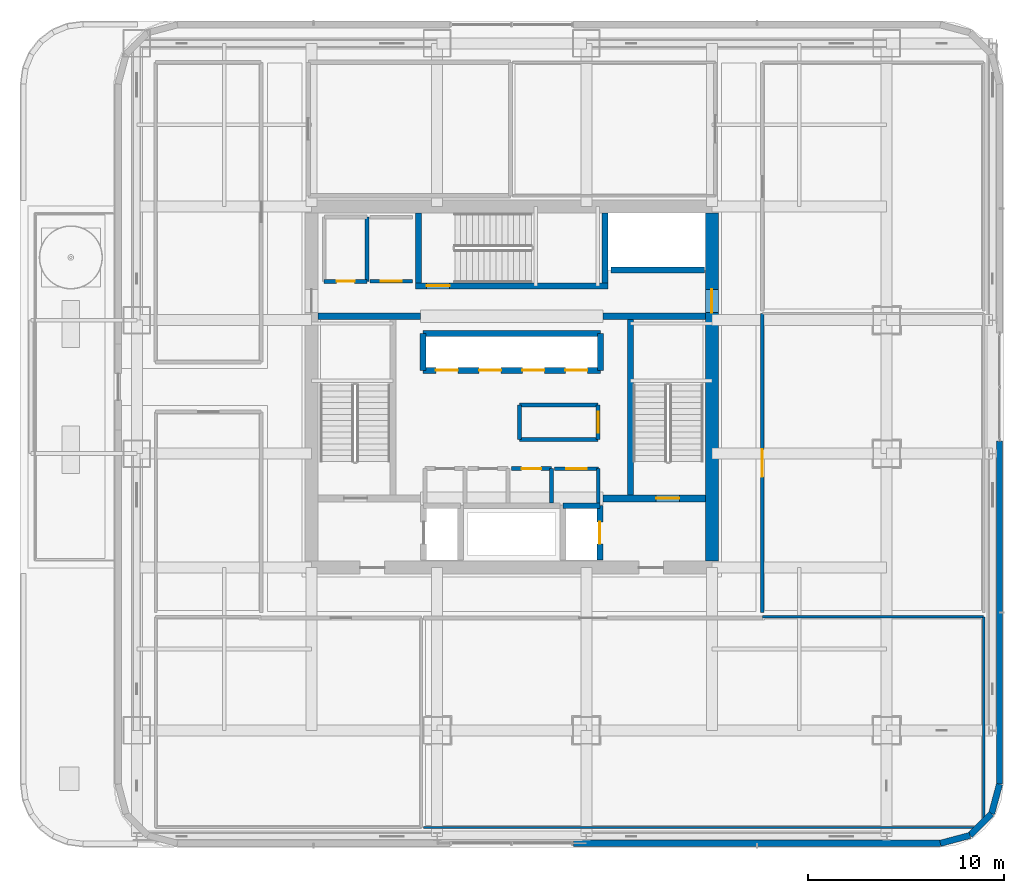
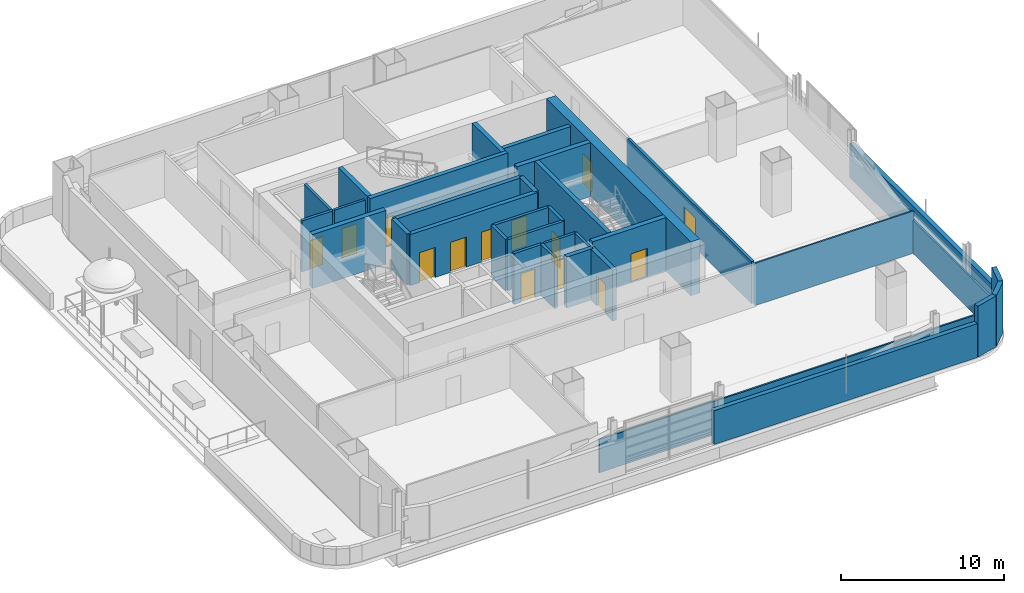
# One storey, part 12 of 27: 35 walls, 14 doors, 14 openings.
"""IFC4 building model written with IfcOpenShell, lengths in metres."""

from ifc_helpers import new_model, si_unit, direction, frame, frame_2d, origin, place, context, subcontext, project, spatial, rectangle, extrude, material, layer, layer_set, type_object, element, fill, save


model = new_model("IFC4")

# Units and contexts
model_context = context("Model", 3, precision=1e-05, world=origin(), true_north=direction((0.0, 1.0)))
body_context = subcontext(model_context, "Body", "Model", "MODEL_VIEW")
ifc_project = project(units=[si_unit("LENGTHUNIT", "METRE"), si_unit("AREAUNIT", "SQUARE_METRE"), si_unit("VOLUMEUNIT", "CUBIC_METRE"), si_unit("PLANEANGLEUNIT", "RADIAN"), si_unit("MASSUNIT", "GRAM", prefix="KILO")], contexts=[model_context])

# Site, building, storey
site_placement = place(None, origin())
site = spatial("IfcSite", under=ifc_project, at=site_placement, CompositionType="ELEMENT")
building_placement = place(site_placement, origin())
building = spatial("IfcBuilding", under=site, at=building_placement, Name="Punatoya Terracotta Tower", CompositionType="ELEMENT")
storey_placement = place(building_placement, frame((0.0, 0.0, 204.60009765625)))
storey = spatial("IfcBuildingStorey", under=building, at=storey_placement, Name="L48", CompositionType="ELEMENT", Elevation=204.60009765625)

# Wall, opening, door
ifc_material_1 = material(Name="Concrete C60/75", Category="concrete")
ifc_layer_1 = layer(ifc_material_1, 0.64990234375)
ifc_layer_set_1 = layer_set([ifc_layer_1], Name="Concrete C60/75")
wall_type_1 = type_object("IfcWallType", Name="WL-COR-650", PredefinedType="SHEAR", material=ifc_layer_set_1)
wall_1_placement = place(storey_placement, frame((10.199951171875, 8.875, 0.0), z_axis=(0.0, 0.0, 1.0), x_axis=(0.0, -1.0, 0.0)))
wall_1 = element("IfcWall", 1, at=wall_1_placement, inside=storey, type_object=wall_type_1, Name="L48 Core Shear Wall E", PredefinedType="SHEAR", context=body_context, shape_type="SweptSolid", body=[
    extrude(rectangle(XDim=17.75, YDim=0.64990234375, at=frame_2d((8.875, 0.0))), origin(), (0.0, 0.0, 1.0), 4.0498046875),
])
opening_1_placement = place(wall_1_placement, frame((3.905029296875, 0.0, 0.0)))
opening_1 = element("IfcOpeningElement", 2, at=opening_1_placement, cuts=wall_1, Name="Opening SD-01", PredefinedType="OPENING", context=body_context, shape_type="SweptSolid", body=[
    extrude(rectangle(XDim=1.179931640625, YDim=2.199951171875, at=frame_2d((0.58984375, 1.10009765625))), frame((0.0, 0.3349609375, 0.0), z_axis=(0.0, -1.0, 0.0), x_axis=(1.0, 0.0, 0.0)), (0.0, 0.0, 1.0), 0.669921875),
])
ifc_material_2 = material(Name="Galvanised Steel Pressurized Stair Fire Door", Category="steel")
door_type_1 = type_object("IfcDoorType", Name="DR-STR-1180", OperationType="NOTDEFINED", PredefinedType="DOOR", material=ifc_material_2)
door_1_placement = place(opening_1_placement, origin())
door_1 = element("IfcDoor", 3, at=door_1_placement, inside=storey, type_object=door_type_1, Name="L48 Central Lift Lobby East Fire Door", OperationType="SINGLE_SWING_RIGHT", OverallHeight=2.199951171875, OverallWidth=1.179931640625, PredefinedType="DOOR", context=body_context, shape_type="SweptSolid", body=[
    extrude(rectangle(XDim=1.179931640625, YDim=2.199951171875, at=frame_2d((0.58984375, 1.10009765625))), frame((0.0, 0.02490234375, 0.0), z_axis=(0.0, -1.0, 0.0), x_axis=(1.0, 0.0, 0.0)), (0.0, 0.0, 1.0), 0.050048828125),
])
fill(opening_1, door_1)

# Wall
ifc_material_3 = material(Name="Gypsum Fireboard + Steel Stud", Category="steel")
ifc_layer_2 = layer(ifc_material_3, 0.179931640625)
ifc_layer_set_2 = layer_set([ifc_layer_2], Name="Gypsum Fireboard + Steel Stud")
wall_type_2 = type_object("IfcWallType", Name="WL-CORR-180", PredefinedType="PARTITIONING", material=ifc_layer_set_2)
wall_2_placement = place(storey_placement, frame((4.419921875, -5.89990234375, 0.0), z_axis=(0.0, 0.0, 1.0), x_axis=(0.0, 1.0, 0.0)))
element("IfcWall", 4, at=wall_2_placement, inside=storey, type_object=wall_type_2, Name="L48 Core Reprographics Studio Partition 08", PredefinedType="PARTITIONING", context=body_context, shape_type="SweptSolid", body=[
    extrude(rectangle(XDim=1.739990234375, YDim=0.179931640625, at=frame_2d((0.8701171875, 0.0))), origin(), (0.0, 0.0, 1.0), 3.829833984375),
])

# Wall, opening, door
wall_3_placement = place(storey_placement, frame((4.419921875, -4.159912109375, 0.0), z_axis=(0.0, 0.0, 1.0), x_axis=(-1.0, 0.0, 0.0)))
wall_3 = element("IfcWall", 5, at=wall_3_placement, inside=storey, type_object=wall_type_2, Name="L48 Core Reprographics Studio Partition 09", PredefinedType="PARTITIONING", context=body_context, shape_type="SweptSolid", body=[
    extrude(rectangle(XDim=2.239990234375, YDim=0.179931640625, at=frame_2d((1.1201171875, 0.0))), origin(), (0.0, 0.0, 1.0), 3.829833984375),
])
opening_2_placement = place(wall_3_placement, frame((0.594970703125, 0.0, 0.0)))
opening_2 = element("IfcOpeningElement", 6, at=opening_2_placement, cuts=wall_3, Name="Opening OD-01", PredefinedType="OPENING", context=body_context, shape_type="SweptSolid", body=[
    extrude(rectangle(XDim=1.050048828125, YDim=2.199951171875, at=frame_2d((0.52490234375, 1.10009765625))), frame((0.0, 0.099853515625, 0.0), z_axis=(0.0, -1.0, 0.0), x_axis=(1.0, 0.0, 0.0)), (0.0, 0.0, 1.0), 0.199951171875),
])
ifc_material_4 = material(Name="Bengal Teak Solid-Core Leaf")
door_type_2 = type_object("IfcDoorType", Name="DR-OFF-1050", OperationType="NOTDEFINED", PredefinedType="DOOR", material=ifc_material_4)
door_2_placement = place(opening_2_placement, origin())
door_2 = element("IfcDoor", 7, at=door_2_placement, inside=storey, type_object=door_type_2, Name="L48 Reprographics Studio Door", OperationType="SINGLE_SWING_LEFT", OverallHeight=2.199951171875, OverallWidth=1.050048828125, PredefinedType="DOOR", context=body_context, shape_type="SweptSolid", body=[
    extrude(rectangle(XDim=1.050048828125, YDim=2.199951171875, at=frame_2d((0.52490234375, 1.10009765625))), frame((0.0, 0.02490234375, 0.0), z_axis=(0.0, -1.0, 0.0), x_axis=(1.0, 0.0, 0.0)), (0.0, 0.0, 1.0), 0.050048828125),
])
fill(opening_2, door_2)

wall_4_placement = place(storey_placement, frame((-7.219970703125, 5.3798828125, 0.0), z_axis=(0.0, 0.0, 1.0), x_axis=(1.0, 0.0, 0.0)))
wall_4 = element("IfcWall", 8, at=wall_4_placement, inside=storey, type_object=wall_type_2, Name="L48 West Core Print Room Partition 19", PredefinedType="PARTITIONING", context=body_context, shape_type="SweptSolid", body=[
    extrude(rectangle(XDim=2.169921875, YDim=0.179931640625, at=frame_2d((1.0849609375, 0.0))), origin(), (0.0, 0.0, 1.0), 3.829833984375),
])
opening_3_placement = place(wall_4_placement, frame((0.56005859375, 0.0, 0.0)))
opening_3 = element("IfcOpeningElement", 9, at=opening_3_placement, cuts=wall_4, Name="Opening OD-01", PredefinedType="OPENING", context=body_context, shape_type="SweptSolid", body=[
    extrude(rectangle(XDim=1.050048828125, YDim=2.199951171875, at=frame_2d((0.52490234375, 1.10009765625))), frame((0.0, 0.099853515625, 0.0), z_axis=(0.0, -1.0, 0.0), x_axis=(1.0, 0.0, 0.0)), (0.0, 0.0, 1.0), 0.199951171875),
])
door_3_placement = place(opening_3_placement, origin())
door_3 = element("IfcDoor", 10, at=door_3_placement, inside=storey, type_object=door_type_2, Name="L48 West Print Room Door", OperationType="SINGLE_SWING_RIGHT", OverallHeight=2.199951171875, OverallWidth=1.050048828125, PredefinedType="DOOR", context=body_context, shape_type="SweptSolid", body=[
    extrude(rectangle(XDim=1.050048828125, YDim=2.199951171875, at=frame_2d((0.52490234375, 1.10009765625))), frame((0.0, 0.02490234375, 0.0), z_axis=(0.0, -1.0, 0.0), x_axis=(1.0, 0.0, 0.0)), (0.0, 0.0, 1.0), 0.050048828125),
])
fill(opening_3, door_3)

wall_5_placement = place(storey_placement, frame((12.77001953125, -11.489990234375, 0.0), z_axis=(0.0, 0.0, 1.0), x_axis=(0.0, 1.0, 0.0)))
wall_5 = element("IfcWall", 11, at=wall_5_placement, inside=storey, type_object=wall_type_2, Name="L48 Press Briefing Room Partition 34", PredefinedType="PARTITIONING", context=body_context, shape_type="SweptSolid", body=[
    extrude(rectangle(XDim=15.22998046875, YDim=0.179931640625, at=frame_2d((7.614990234375, 0.0))), origin(), (0.0, 0.0, 1.0), 3.173828125),
])
opening_4_placement = place(wall_5_placement, frame((6.9150390625, 0.0, 0.0)))
opening_4 = element("IfcOpeningElement", 12, at=opening_4_placement, cuts=wall_5, Name="Opening BD-01", PredefinedType="OPENING", context=body_context, shape_type="SweptSolid", body=[
    extrude(rectangle(XDim=1.39990234375, YDim=2.25, at=frame_2d((0.699951171875, 1.125))), frame((0.0, 0.099853515625, 0.0), z_axis=(0.0, -1.0, 0.0), x_axis=(1.0, 0.0, 0.0)), (0.0, 0.0, 1.0), 0.199951171875),
])
ifc_material_5 = material(Name="Bengal Teak Acoustic Leaf")
door_type_3 = type_object("IfcDoorType", Name="DR-BRD-1400", OperationType="NOTDEFINED", PredefinedType="DOOR", material=ifc_material_5)
door_4_placement = place(opening_4_placement, origin())
door_4 = element("IfcDoor", 13, at=door_4_placement, inside=storey, type_object=door_type_3, Name="L48 Press Briefing Room Door", OperationType="SINGLE_SWING_RIGHT", OverallHeight=2.25, OverallWidth=1.39990234375, PredefinedType="DOOR", context=body_context, shape_type="SweptSolid", body=[
    extrude(rectangle(XDim=1.39990234375, YDim=2.25, at=frame_2d((0.699951171875, 1.125))), frame((0.0, 0.02490234375, 0.0), z_axis=(0.0, -1.0, 0.0), x_axis=(1.0, 0.0, 0.0)), (0.0, 0.0, 1.0), 0.050048828125),
])
fill(opening_4, door_4)

# Walls
ifc_material_6 = material(Name="Precast concrete C40/50", Category="concrete")
ifc_layer_3 = layer(ifc_material_6, 0.320068359375)
ifc_layer_set_3 = layer_set([ifc_layer_3], Name="Precast concrete C40/50")
wall_type_3 = type_object("IfcWallType", Name="WL-EXT-320", PredefinedType="SOLIDWALL", material=ifc_layer_set_3)
wall_6_placement = place(storey_placement, frame((3.14990234375, -23.25, 0.0), z_axis=(0.0, 0.0, 1.0), x_axis=(1.0, 0.0, 0.0)))
element("IfcWall", 14, at=wall_6_placement, inside=storey, type_object=wall_type_3, Name="L48 Terracotta Braced Facade Wall S2", PredefinedType="SOLIDWALL", context=body_context, shape_type="SweptSolid", body=[
    extrude(rectangle(XDim=18.68701171875, YDim=0.320068359375, at=frame_2d((9.343505859375, 0.0))), origin(), (0.0, 0.0, 1.0), 2.5439453125),
])
wall_7_placement = place(storey_placement, frame((21.8369140625, -23.25, 0.0), z_axis=(0.0, 0.0, 1.0), x_axis=(0.966224582397, 0.257701486942, 0.0)))
element("IfcWall", 15, at=wall_7_placement, inside=storey, type_object=wall_type_3, Name="L48 Rounded Terracotta Corner Pier 02", PredefinedType="SOLIDWALL", context=body_context, shape_type="SweptSolid", body=[
    extrude(rectangle(XDim=1.565185546875, YDim=0.320068359375, at=frame_2d((0.78271484375, 0.0))), origin(), (0.0, 0.0, 1.0), 3.829833984375),
])
wall_8_placement = place(storey_placement, frame((23.34912109375, -22.8466796875, 0.0), z_axis=(0.0, 0.0, 1.0), x_axis=(0.707028130747, 0.707185422879, 0.0)))
element("IfcWall", 16, at=wall_8_placement, inside=storey, type_object=wall_type_3, Name="L48 Rounded Terracotta Corner Pier 03", PredefinedType="SOLIDWALL", context=body_context, shape_type="SweptSolid", body=[
    extrude(rectangle(XDim=1.55224609375, YDim=0.320068359375, at=frame_2d((0.776123046875, 0.0))), origin(), (0.0, 0.0, 1.0), 3.829833984375),
])
wall_9_placement = place(storey_placement, frame((24.446533203125, -21.7490234375, 0.0), z_axis=(0.0, 0.0, 1.0), x_axis=(0.257847112249, 0.966185730957, 0.0)))
element("IfcWall", 17, at=wall_9_placement, inside=storey, type_object=wall_type_3, Name="L48 Rounded Terracotta Corner Pier 04", PredefinedType="SOLIDWALL", context=body_context, shape_type="SweptSolid", body=[
    extrude(rectangle(XDim=1.565185546875, YDim=0.320068359375, at=frame_2d((0.78271484375, 0.0))), origin(), (0.0, 0.0, 1.0), 3.829833984375),
])
wall_10_placement = place(storey_placement, frame((24.85009765625, -20.23681640625, 0.0), z_axis=(0.0, 0.0, 1.0), x_axis=(0.0, 1.0, 0.0)))
element("IfcWall", 18, at=wall_10_placement, inside=storey, type_object=wall_type_3, Name="L48 Terracotta Braced Facade Wall E1", PredefinedType="SOLIDWALL", context=body_context, shape_type="SweptSolid", body=[
    extrude(rectangle(XDim=17.48681640625, YDim=0.320068359375, at=frame_2d((8.743408203125, 0.0))), origin(), (0.0, 0.0, 1.0), 2.5439453125),
])
ifc_material_7 = material(Name="Concrete C40/50", Category="concrete")
ifc_layer_4 = layer(ifc_material_7, 0.199951171875)
ifc_layer_set_4 = layer_set([ifc_layer_4], Name="Concrete C40/50")
wall_type_4 = type_object("IfcWallType", Name="WL-INT-200", PredefinedType="SOLIDWALL", material=ifc_layer_set_4)
wall_11_placement = place(storey_placement, frame((2.02001953125, -5.89990234375, 0.0), z_axis=(0.0, 0.0, 1.0), x_axis=(0.0, 1.0, 0.0)))
element("IfcWall", 19, at=wall_11_placement, inside=storey, type_object=wall_type_4, Name="L48 Accessible Universal Washroom Partition 06", PredefinedType="SOLIDWALL", context=body_context, shape_type="SweptSolid", body=[
    extrude(rectangle(XDim=1.739990234375, YDim=0.199951171875, at=frame_2d((0.8701171875, 0.0))), origin(), (0.0, 0.0, 1.0), 3.829833984375),
])

# Wall, opening, door
wall_12_placement = place(storey_placement, frame((2.02001953125, -4.159912109375, 0.0), z_axis=(0.0, 0.0, 1.0), x_axis=(-1.0, 0.0, 0.0)))
wall_12 = element("IfcWall", 20, at=wall_12_placement, inside=storey, type_object=wall_type_4, Name="L48 Accessible Universal Washroom Partition 07", PredefinedType="SOLIDWALL", context=body_context, shape_type="SweptSolid", body=[
    extrude(rectangle(XDim=2.0400390625, YDim=0.199951171875, at=frame_2d((1.02001953125, 0.0))), origin(), (0.0, 0.0, 1.0), 3.829833984375),
])
opening_5_placement = place(wall_12_placement, frame((0.52001953125, 0.0, 0.0)))
opening_5 = element("IfcOpeningElement", 21, at=opening_5_placement, cuts=wall_12, Name="Opening AWD-1", PredefinedType="OPENING", context=body_context, shape_type="SweptSolid", body=[
    extrude(rectangle(XDim=1.0, YDim=2.14990234375, at=frame_2d((0.5, 1.074951171875))), frame((0.0, 0.10986328125, 0.0), z_axis=(0.0, -1.0, 0.0), x_axis=(1.0, 0.0, 0.0)), (0.0, 0.0, 1.0), 0.219970703125),
])
ifc_material_8 = material(Name="Bengal Teak Accessible WC Leaf")
door_type_4 = type_object("IfcDoorType", Name="DR-ACC-1000", OperationType="NOTDEFINED", PredefinedType="DOOR", material=ifc_material_8)
door_5_placement = place(opening_5_placement, origin())
door_5 = element("IfcDoor", 22, at=door_5_placement, inside=storey, type_object=door_type_4, Name="L48 Accessible Universal Washroom Door", OperationType="SINGLE_SWING_RIGHT", OverallHeight=2.14990234375, OverallWidth=1.0, PredefinedType="DOOR", context=body_context, shape_type="SweptSolid", body=[
    extrude(rectangle(XDim=1.0, YDim=2.14990234375, at=frame_2d((0.5, 1.074951171875))), frame((0.0, 0.02490234375, 0.0), z_axis=(0.0, -1.0, 0.0), x_axis=(1.0, 0.0, 0.0)), (0.0, 0.0, 1.0), 0.050048828125),
])
fill(opening_5, door_5)

wall_13_placement = place(storey_placement, frame((4.39990234375, -2.679931640625, 0.0), z_axis=(0.0, 0.0, 1.0), x_axis=(0.0, 1.0, 0.0)))
wall_13 = element("IfcWall", 23, at=wall_13_placement, inside=storey, type_object=wall_type_4, Name="L48 East Core Tea Pantry Partition 10", PredefinedType="SOLIDWALL", context=body_context, shape_type="SweptSolid", body=[
    extrude(rectangle(XDim=1.760009765625, YDim=0.199951171875, at=frame_2d((0.8798828125, 0.0))), origin(), (0.0, 0.0, 1.0), 3.829833984375),
])
opening_6_placement = place(wall_13_placement, frame((0.35498046875, 0.0, 0.0)))
opening_6 = element("IfcOpeningElement", 24, at=opening_6_placement, cuts=wall_13, Name="Opening OD-01", PredefinedType="OPENING", context=body_context, shape_type="SweptSolid", body=[
    extrude(rectangle(XDim=1.050048828125, YDim=2.199951171875, at=frame_2d((0.52490234375, 1.10009765625))), frame((0.0, 0.10986328125, 0.0), z_axis=(0.0, -1.0, 0.0), x_axis=(1.0, 0.0, 0.0)), (0.0, 0.0, 1.0), 0.219970703125),
])
door_6_placement = place(opening_6_placement, origin())
door_6 = element("IfcDoor", 25, at=door_6_placement, inside=storey, type_object=door_type_2, Name="L48 East Tea Pantry Door", OperationType="SINGLE_SWING_RIGHT", OverallHeight=2.199951171875, OverallWidth=1.050048828125, PredefinedType="DOOR", context=body_context, shape_type="SweptSolid", body=[
    extrude(rectangle(XDim=1.050048828125, YDim=2.199951171875, at=frame_2d((0.52490234375, 1.10009765625))), frame((0.0, 0.02490234375, 0.0), z_axis=(0.0, -1.0, 0.0), x_axis=(1.0, 0.0, 0.0)), (0.0, 0.0, 1.0), 0.050048828125),
])
fill(opening_6, door_6)

# Walls
wall_14_placement = place(storey_placement, frame((4.39990234375, -0.919921875, 0.0), z_axis=(0.0, 0.0, 1.0), x_axis=(-1.0, 0.0, 0.0)))
element("IfcWall", 26, at=wall_14_placement, inside=storey, type_object=wall_type_4, Name="L48 East Core Tea Pantry Partition 11", PredefinedType="SOLIDWALL", context=body_context, shape_type="SweptSolid", body=[
    extrude(rectangle(XDim=4.0, YDim=0.199951171875, at=frame_2d((2.0, 0.0))), origin(), (0.0, 0.0, 1.0), 3.829833984375),
])
wall_15_placement = place(storey_placement, frame((0.39990234375, -0.919921875, 0.0), z_axis=(0.0, 0.0, 1.0), x_axis=(0.0, -1.0, 0.0)))
element("IfcWall", 27, at=wall_15_placement, inside=storey, type_object=wall_type_4, Name="L48 East Core Tea Pantry Partition 12", PredefinedType="SOLIDWALL", context=body_context, shape_type="SweptSolid", body=[
    extrude(rectangle(XDim=1.760009765625, YDim=0.199951171875, at=frame_2d((0.8798828125, 0.0))), origin(), (0.0, 0.0, 1.0), 3.829833984375),
])
wall_16_placement = place(storey_placement, frame((0.39990234375, -2.679931640625, 0.0), z_axis=(0.0, 0.0, 1.0), x_axis=(1.0, 0.0, 0.0)))
element("IfcWall", 28, at=wall_16_placement, inside=storey, type_object=wall_type_4, Name="L48 East Core Tea Pantry Partition 13", PredefinedType="SOLIDWALL", context=body_context, shape_type="SweptSolid", body=[
    extrude(rectangle(XDim=4.0, YDim=0.199951171875, at=frame_2d((2.0, 0.0))), origin(), (0.0, 0.0, 1.0), 3.829833984375),
])
wall_17_placement = place(storey_placement, frame((-7.3798828125, 5.3798828125, 0.0), z_axis=(0.0, 0.0, 1.0), x_axis=(0.0, 1.0, 0.0)))
element("IfcWall", 29, at=wall_17_placement, inside=storey, type_object=wall_type_4, Name="L48 West Core Archive Vault Partition 14", PredefinedType="SOLIDWALL", context=body_context, shape_type="SweptSolid", body=[
    extrude(rectangle(XDim=3.27001953125, YDim=0.199951171875, at=frame_2d((1.635009765625, 0.0))), origin(), (0.0, 0.0, 1.0), 3.829833984375),
])

# Wall, opening, door
wall_18_placement = place(storey_placement, frame((-9.550048828125, 5.3798828125, 0.0), z_axis=(0.0, 0.0, 1.0), x_axis=(1.0, 0.0, 0.0)))
wall_18 = element("IfcWall", 30, at=wall_18_placement, inside=storey, type_object=wall_type_4, Name="L48 West Core Archive Vault Partition 17", PredefinedType="SOLIDWALL", context=body_context, shape_type="SweptSolid", body=[
    extrude(rectangle(XDim=2.170166015625, YDim=0.199951171875, at=frame_2d((1.0849609375, 0.0))), origin(), (0.0, 0.0, 1.0), 3.829833984375),
])
opening_7_placement = place(wall_18_placement, frame((0.625, 0.0, 0.0)))
opening_7 = element("IfcOpeningElement", 31, at=opening_7_placement, cuts=wall_18, Name="Opening FD-R1", PredefinedType="OPENING", context=body_context, shape_type="SweptSolid", body=[
    extrude(rectangle(XDim=0.919921875, YDim=2.10009765625, at=frame_2d((0.4599609375, 1.050048828125))), frame((0.0, 0.10986328125, 0.0), z_axis=(0.0, -1.0, 0.0), x_axis=(1.0, 0.0, 0.0)), (0.0, 0.0, 1.0), 0.219970703125),
])
ifc_material_9 = material(Name="Galvanised Steel Riser Fire Access Door", Category="steel")
door_type_5 = type_object("IfcDoorType", Name="DR-RSR-920", OperationType="NOTDEFINED", PredefinedType="DOOR", material=ifc_material_9)
door_7_placement = place(opening_7_placement, origin())
door_7 = element("IfcDoor", 32, at=door_7_placement, inside=storey, type_object=door_type_5, Name="L48 West Core Archive Vault Fire Door", OperationType="SINGLE_SWING_LEFT", OverallHeight=2.10009765625, OverallWidth=0.919921875, PredefinedType="DOOR", context=body_context, shape_type="SweptSolid", body=[
    extrude(rectangle(XDim=0.919921875, YDim=2.10009765625, at=frame_2d((0.4599609375, 1.050048828125))), frame((0.0, 0.02490234375, 0.0), z_axis=(0.0, -1.0, 0.0), x_axis=(1.0, 0.0, 0.0)), (0.0, 0.0, 1.0), 0.050048828125),
])
fill(opening_7, door_7)

# Walls
ifc_material_10 = material(Name="Gypsum Partition + Steel Stud", Category="steel")
ifc_layer_5 = layer(ifc_material_10, 0.1201171875)
ifc_layer_set_5 = layer_set([ifc_layer_5], Name="Gypsum Partition + Steel Stud")
wall_type_5 = type_object("IfcWallType", Name="WL-OFF-120", PredefinedType="PARTITIONING", material=ifc_layer_set_5)
wall_19_placement = place(storey_placement, frame((12.77001953125, -11.7099609375, 0.0), z_axis=(0.0, 0.0, 1.0), x_axis=(1.0, 0.0, 0.0)))
element("IfcWall", 33, at=wall_19_placement, inside=storey, type_object=wall_type_5, Name="L48 Media Broadcast Studio Partition 26", PredefinedType="PARTITIONING", context=body_context, shape_type="SweptSolid", body=[
    extrude(rectangle(XDim=11.27001953125, YDim=0.1201171875, at=frame_2d((5.635009765625, 0.0))), origin(), (0.0, 0.0, 1.0), 3.173828125),
])
wall_20_placement = place(storey_placement, frame((24.0400390625, -11.7099609375, 0.0), z_axis=(0.0, 0.0, 1.0), x_axis=(0.0, -1.0, 0.0)))
element("IfcWall", 34, at=wall_20_placement, inside=storey, type_object=wall_type_5, Name="L48 Media Broadcast Studio Partition 27", PredefinedType="PARTITIONING", context=body_context, shape_type="SweptSolid", body=[
    extrude(rectangle(XDim=10.4375, YDim=0.1201171875, at=frame_2d((5.21875, 0.0))), origin(), (0.0, 0.0, 1.0), 2.50390625),
])
wall_21_placement = place(storey_placement, frame((23.74755859375, -22.43994140625, 0.0), z_axis=(0.0, 0.0, 1.0), x_axis=(-1.0, 0.0, 0.0)))
element("IfcWall", 35, at=wall_21_placement, inside=storey, type_object=wall_type_5, Name="L48 Media Broadcast Studio Partition 28", PredefinedType="PARTITIONING", context=body_context, shape_type="SweptSolid", body=[
    extrude(rectangle(XDim=28.232666015625, YDim=0.1201171875, at=frame_2d((14.1162109375, 0.0))), origin(), (0.0, 0.0, 1.0), 2.50390625),
])
ifc_layer_6 = layer(ifc_material_7, 0.300048828125)
ifc_layer_set_6 = layer_set([ifc_layer_6], Name="Concrete C40/50")
wall_type_6 = type_object("IfcWallType", Name="WL-SHF-300", PredefinedType="SOLIDWALL", material=ifc_layer_set_6)
wall_22_placement = place(storey_placement, frame((6.050048828125, 3.449951171875, 0.0), z_axis=(0.0, 0.0, 1.0), x_axis=(0.0, -1.0, 0.0)))
element("IfcWall", 36, at=wall_22_placement, inside=storey, type_object=wall_type_6, Name="L48 Structural Stair Shaft Wall SW-ST2-W", PredefinedType="SOLIDWALL", context=body_context, shape_type="SweptSolid", body=[
    extrude(rectangle(XDim=8.949951171875, YDim=0.300048828125, at=frame_2d((4.47509765625, 0.0))), origin(), (0.0, 0.0, 1.0), 4.0498046875),
])
for number, where, z_axis, x_axis, name in (
    (37, (-4.75, 5.300048828125, 0.0), (0.0, 0.0, 1.0), (0.0, 1.0, 0.0), "L48 Structural Stair Shaft Wall SW-ST3-W"),
    (38, (4.75, 8.875, 0.0), (0.0, 0.0, 1.0), (0.0, -1.0, 0.0), "L48 Structural Stair Shaft Wall SW-ST3-E"),
):
    element("IfcWall", number, at=place(storey_placement, frame(where, z_axis=z_axis, x_axis=x_axis)), inside=storey, type_object=wall_type_6, Name=name, PredefinedType="SOLIDWALL", context=body_context, shape_type="SweptSolid", body=[
        extrude(rectangle(XDim=3.574951171875, YDim=0.300048828125, at=frame_2d((1.78759765625, 0.0))), origin(), (0.0, 0.0, 1.0), 4.0498046875),
    ])

# Wall, opening, door
wall_23_placement = place(storey_placement, frame((-4.89990234375, 5.14990234375, 0.0), z_axis=(0.0, 0.0, 1.0), x_axis=(1.0, 0.0, 0.0)))
wall_23 = element("IfcWall", 39, at=wall_23_placement, inside=storey, type_object=wall_type_6, Name="L48 Structural Stair Shaft Wall SW-ST3-S", PredefinedType="SOLIDWALL", context=body_context, shape_type="SweptSolid", body=[
    extrude(rectangle(XDim=9.7998046875, YDim=0.300048828125, at=frame_2d((4.89990234375, 0.0))), origin(), (0.0, 0.0, 1.0), 4.0498046875),
])
opening_8_placement = place(wall_23_placement, frame((0.56005859375, 0.0, 0.0)))
opening_8 = element("IfcOpeningElement", 40, at=opening_8_placement, cuts=wall_23, Name="Opening SD-01", PredefinedType="OPENING", context=body_context, shape_type="SweptSolid", body=[
    extrude(rectangle(XDim=1.179931640625, YDim=2.199951171875, at=frame_2d((0.58984375, 1.10009765625))), frame((0.0, 0.159912109375, 0.0), z_axis=(0.0, -1.0, 0.0), x_axis=(1.0, 0.0, 0.0)), (0.0, 0.0, 1.0), 0.320068359375),
])
door_8_placement = place(opening_8_placement, origin())
door_8 = element("IfcDoor", 41, at=door_8_placement, inside=storey, type_object=door_type_1, Name="L48 Stair ST-3 Core Lobby Fire Door", OperationType="SINGLE_SWING_LEFT", OverallHeight=2.199951171875, OverallWidth=1.179931640625, PredefinedType="DOOR", context=body_context, shape_type="SweptSolid", body=[
    extrude(rectangle(XDim=1.179931640625, YDim=2.199951171875, at=frame_2d((0.58984375, 1.10009765625))), frame((0.0, 0.02490234375, 0.0), z_axis=(0.0, -1.0, 0.0), x_axis=(1.0, 0.0, 0.0)), (0.0, 0.0, 1.0), 0.050048828125),
])
fill(opening_8, door_8)

wall_24_placement = place(storey_placement, frame((4.489990234375, -8.820068359375, 0.0), z_axis=(0.0, 0.0, 1.0), x_axis=(0.0, 1.0, 0.0)))
wall_24 = element("IfcWall", 42, at=wall_24_placement, inside=storey, type_object=wall_type_6, Name="L48 FFL-2 Front Hoistway Wall", PredefinedType="SOLIDWALL", context=body_context, shape_type="SweptSolid", body=[
    extrude(rectangle(XDim=2.77001953125, YDim=0.300048828125, at=frame_2d((1.385009765625, 0.0))), origin(), (0.0, 0.0, 1.0), 3.829833984375),
])
opening_9_placement = place(wall_24_placement, frame((0.824951171875, 0.0, 0.0)))
opening_9 = element("IfcOpeningElement", 43, at=opening_9_placement, cuts=wall_24, Name="Opening LD-02", PredefinedType="OPENING", context=body_context, shape_type="SweptSolid", body=[
    extrude(rectangle(XDim=1.1201171875, YDim=2.25, at=frame_2d((0.56005859375, 1.125))), frame((0.0, 0.159912109375, 0.0), z_axis=(0.0, -1.0, 0.0), x_axis=(1.0, 0.0, 0.0)), (0.0, 0.0, 1.0), 0.320068359375),
])
ifc_material_11 = material(Name="Stainless Steel Lift Landing Door", Category="steel")
door_type_6 = type_object("IfcDoorType", Name="DR-LND-1120", OperationType="NOTDEFINED", PredefinedType="DOOR", material=ifc_material_11)
door_9_placement = place(opening_9_placement, origin())
door_9 = element("IfcDoor", 44, at=door_9_placement, inside=storey, type_object=door_type_6, Name="L48 Firefighting Lift FFL-2 Sliding Landing Door", OperationType="SLIDING_TO_RIGHT", OverallHeight=2.25, OverallWidth=1.1201171875, PredefinedType="DOOR", context=body_context, shape_type="SweptSolid", body=[
    extrude(rectangle(XDim=1.1201171875, YDim=2.25, at=frame_2d((0.56005859375, 1.125))), frame((0.0, 0.02490234375, 0.0), z_axis=(0.0, -1.0, 0.0), x_axis=(1.0, 0.0, 0.0)), (0.0, 0.0, 1.0), 0.050048828125),
])
fill(opening_9, door_9)

# Wall
wall_25_placement = place(storey_placement, frame((2.610107421875, -6.050048828125, 0.0), z_axis=(0.0, 0.0, 1.0), x_axis=(1.0, 0.0, 0.0)))
element("IfcWall", 45, at=wall_25_placement, inside=storey, type_object=wall_type_6, Name="L48 FFL-2 North Hoistway Wall", PredefinedType="SOLIDWALL", context=body_context, shape_type="SweptSolid", body=[
    extrude(rectangle(XDim=1.8798828125, YDim=0.300048828125, at=frame_2d((0.93994140625, 0.0))), origin(), (0.0, 0.0, 1.0), 3.829833984375),
])

# Wall, openings, doors
wall_26_placement = place(storey_placement, frame((-4.52001953125, 0.840087890625, 0.0), z_axis=(0.0, 0.0, 1.0), x_axis=(1.0, 0.0, 0.0)))
wall_26 = element("IfcWall", 46, at=wall_26_placement, inside=storey, type_object=wall_type_6, Name="L48 North Lift Bank Front Shaft Wall", PredefinedType="SOLIDWALL", context=body_context, shape_type="SweptSolid", body=[
    extrude(rectangle(XDim=9.0400390625, YDim=0.300048828125, at=frame_2d((4.52001953125, 0.0))), origin(), (0.0, 0.0, 1.0), 3.829833984375),
])
opening_10_placement = place(wall_26_placement, frame((0.659912109375, 0.0, 0.0)))
opening_10 = element("IfcOpeningElement", 47, at=opening_10_placement, cuts=wall_26, Name="Opening LD-02", PredefinedType="OPENING", context=body_context, shape_type="SweptSolid", body=[
    extrude(rectangle(XDim=1.1201171875, YDim=2.25, at=frame_2d((0.56005859375, 1.125))), frame((0.0, 0.159912109375, 0.0), z_axis=(0.0, -1.0, 0.0), x_axis=(1.0, 0.0, 0.0)), (0.0, 0.0, 1.0), 0.320068359375),
])
opening_11_placement = place(wall_26_placement, frame((2.860107421875, 0.0, 0.0)))
opening_11 = element("IfcOpeningElement", 48, at=opening_11_placement, cuts=wall_26, Name="Opening LD-02", PredefinedType="OPENING", context=body_context, shape_type="SweptSolid", body=[
    extrude(rectangle(XDim=1.1201171875, YDim=2.25, at=frame_2d((0.56005859375, 1.125))), frame((0.0, 0.159912109375, 0.0), z_axis=(0.0, -1.0, 0.0), x_axis=(1.0, 0.0, 0.0)), (0.0, 0.0, 1.0), 0.320068359375),
])
opening_12_placement = place(wall_26_placement, frame((5.06005859375, 0.0, 0.0)))
opening_12 = element("IfcOpeningElement", 49, at=opening_12_placement, cuts=wall_26, Name="Opening LD-02", PredefinedType="OPENING", context=body_context, shape_type="SweptSolid", body=[
    extrude(rectangle(XDim=1.1201171875, YDim=2.25, at=frame_2d((0.56005859375, 1.125))), frame((0.0, 0.159912109375, 0.0), z_axis=(0.0, -1.0, 0.0), x_axis=(1.0, 0.0, 0.0)), (0.0, 0.0, 1.0), 0.320068359375),
])
opening_13_placement = place(wall_26_placement, frame((7.260009765625, 0.0, 0.0)))
opening_13 = element("IfcOpeningElement", 50, at=opening_13_placement, cuts=wall_26, Name="Opening LD-02", PredefinedType="OPENING", context=body_context, shape_type="SweptSolid", body=[
    extrude(rectangle(XDim=1.1201171875, YDim=2.25, at=frame_2d((0.56005859375, 1.125))), frame((0.0, 0.159912109375, 0.0), z_axis=(0.0, -1.0, 0.0), x_axis=(1.0, 0.0, 0.0)), (0.0, 0.0, 1.0), 0.320068359375),
])
door_10_placement = place(opening_10_placement, origin())
door_10 = element("IfcDoor", 51, at=door_10_placement, inside=storey, type_object=door_type_6, Name="L48 Lift PL-M1 Sliding Landing Door", OperationType="DOUBLE_DOOR_SLIDING", OverallHeight=2.25, OverallWidth=1.1201171875, PredefinedType="DOOR", context=body_context, shape_type="SweptSolid", body=[
    extrude(rectangle(XDim=1.1201171875, YDim=2.25, at=frame_2d((0.56005859375, 1.125))), frame((0.0, 0.02490234375, 0.0), z_axis=(0.0, -1.0, 0.0), x_axis=(1.0, 0.0, 0.0)), (0.0, 0.0, 1.0), 0.050048828125),
])
fill(opening_10, door_10)
door_11_placement = place(opening_11_placement, origin())
door_11 = element("IfcDoor", 52, at=door_11_placement, inside=storey, type_object=door_type_6, Name="L48 Lift PL-M2 Sliding Landing Door", OperationType="DOUBLE_DOOR_SLIDING", OverallHeight=2.25, OverallWidth=1.1201171875, PredefinedType="DOOR", context=body_context, shape_type="SweptSolid", body=[
    extrude(rectangle(XDim=1.1201171875, YDim=2.25, at=frame_2d((0.56005859375, 1.125))), frame((0.0, 0.02490234375, 0.0), z_axis=(0.0, -1.0, 0.0), x_axis=(1.0, 0.0, 0.0)), (0.0, 0.0, 1.0), 0.050048828125),
])
fill(opening_11, door_11)
door_12_placement = place(opening_12_placement, origin())
door_12 = element("IfcDoor", 53, at=door_12_placement, inside=storey, type_object=door_type_6, Name="L48 Lift PL-M3 Sliding Landing Door", OperationType="DOUBLE_DOOR_SLIDING", OverallHeight=2.25, OverallWidth=1.1201171875, PredefinedType="DOOR", context=body_context, shape_type="SweptSolid", body=[
    extrude(rectangle(XDim=1.1201171875, YDim=2.25, at=frame_2d((0.56005859375, 1.125))), frame((0.0, 0.02490234375, 0.0), z_axis=(0.0, -1.0, 0.0), x_axis=(1.0, 0.0, 0.0)), (0.0, 0.0, 1.0), 0.050048828125),
])
fill(opening_12, door_12)
door_13_placement = place(opening_13_placement, origin())
door_13 = element("IfcDoor", 54, at=door_13_placement, inside=storey, type_object=door_type_6, Name="L48 Lift PL-M4 Sliding Landing Door", OperationType="DOUBLE_DOOR_SLIDING", OverallHeight=2.25, OverallWidth=1.1201171875, PredefinedType="DOOR", context=body_context, shape_type="SweptSolid", body=[
    extrude(rectangle(XDim=1.1201171875, YDim=2.25, at=frame_2d((0.56005859375, 1.125))), frame((0.0, 0.02490234375, 0.0), z_axis=(0.0, -1.0, 0.0), x_axis=(1.0, 0.0, 0.0)), (0.0, 0.0, 1.0), 0.050048828125),
])
fill(opening_13, door_13)

# Walls
wall_27_placement = place(storey_placement, frame((-4.52001953125, 2.719970703125, 0.0), z_axis=(0.0, 0.0, 1.0), x_axis=(1.0, 0.0, 0.0)))
element("IfcWall", 55, at=wall_27_placement, inside=storey, type_object=wall_type_6, Name="L48 North Lift Bank Rear Shaft Wall", PredefinedType="SOLIDWALL", context=body_context, shape_type="SweptSolid", body=[
    extrude(rectangle(XDim=9.0400390625, YDim=0.300048828125, at=frame_2d((4.52001953125, 0.0))), origin(), (0.0, 0.0, 1.0), 3.829833984375),
])
for number, where, z_axis, x_axis, name in (
    (56, (-4.52001953125, 0.840087890625, 0.0), (0.0, 0.0, 1.0), (0.0, 1.0, 0.0), "L48 North Lift Bank West End Wall"),
    (57, (4.52001953125, 0.840087890625, 0.0), (0.0, 0.0, 1.0), (0.0, 1.0, 0.0), "L48 North Lift Bank East End Wall"),
):
    element("IfcWall", number, at=place(storey_placement, frame(where, z_axis=z_axis, x_axis=x_axis)), inside=storey, type_object=wall_type_6, Name=name, PredefinedType="SOLIDWALL", context=body_context, shape_type="SweptSolid", body=[
        extrude(rectangle(XDim=1.8798828125, YDim=0.300048828125, at=frame_2d((0.93994140625, 0.0))), origin(), (0.0, 0.0, 1.0), 3.829833984375),
    ])
wall_28_placement = place(storey_placement, frame((5.06005859375, 5.949951171875, 0.0), z_axis=(0.0, 0.0, 1.0), x_axis=(1.0, 0.0, 0.0)))
element("IfcWall", 58, at=wall_28_placement, inside=storey, type_object=wall_type_6, Name="L48 Shuttle SL-2 South Hoistway Wall", PredefinedType="SOLIDWALL", context=body_context, shape_type="SweptSolid", body=[
    extrude(rectangle(XDim=4.760009765625, YDim=0.300048828125, at=frame_2d((2.3798828125, 0.0))), origin(), (0.0, 0.0, 1.0), 3.829833984375),
])

# Wall, opening, door
ifc_material_12 = material(Name="Concrete C50/60", Category="concrete")
ifc_layer_7 = layer(ifc_material_12, 0.35009765625)
ifc_layer_set_7 = layer_set([ifc_layer_7], Name="Concrete C50/60")
wall_type_7 = type_object("IfcWallType", Name="WL-SHF-350", PredefinedType="SOLIDWALL", material=ifc_layer_set_7)
wall_29_placement = place(storey_placement, frame((4.64990234375, -5.679931640625, 0.0), z_axis=(0.0, 0.0, 1.0), x_axis=(1.0, 0.0, 0.0)))
wall_29 = element("IfcWall", 59, at=wall_29_placement, inside=storey, type_object=wall_type_7, Name="L48 Core Web Wall CSW-R", PredefinedType="SOLIDWALL", context=body_context, shape_type="SweptSolid", body=[
    extrude(rectangle(XDim=5.22509765625, YDim=0.35009765625, at=frame_2d((2.612548828125, 0.0))), origin(), (0.0, 0.0, 1.0), 4.0498046875),
])
opening_14_placement = place(wall_29_placement, frame((2.7099609375, 0.0, 0.0)))
opening_14 = element("IfcOpeningElement", 60, at=opening_14_placement, cuts=wall_29, Name="Opening SD-01", PredefinedType="OPENING", context=body_context, shape_type="SweptSolid", body=[
    extrude(rectangle(XDim=1.179931640625, YDim=2.199951171875, at=frame_2d((0.58984375, 1.10009765625))), frame((0.0, 0.18505859375, 0.0), z_axis=(0.0, -1.0, 0.0), x_axis=(1.0, 0.0, 0.0)), (0.0, 0.0, 1.0), 0.3701171875),
])
door_14_placement = place(opening_14_placement, origin())
door_14 = element("IfcDoor", 61, at=door_14_placement, inside=storey, type_object=door_type_1, Name="L48 Stair ST-2 Smokeproof Lobby Fire Door", OperationType="SINGLE_SWING_RIGHT", OverallHeight=2.199951171875, OverallWidth=1.179931640625, PredefinedType="DOOR", context=body_context, shape_type="SweptSolid", body=[
    extrude(rectangle(XDim=1.179931640625, YDim=2.199951171875, at=frame_2d((0.58984375, 1.10009765625))), frame((0.0, 0.02490234375, 0.0), z_axis=(0.0, -1.0, 0.0), x_axis=(1.0, 0.0, 0.0)), (0.0, 0.0, 1.0), 0.050048828125),
])
fill(opening_14, door_14)

# Walls
for number, where, z_axis, x_axis, name in (
    (62, (-9.875, 3.60009765625, 0.0), (0.0, 0.0, 1.0), (1.0, 0.0, 0.0), "L48 Core Web Wall CNW-L"),
    (63, (4.64990234375, 3.60009765625, 0.0), (0.0, 0.0, 1.0), (1.0, 0.0, 0.0), "L48 Core Web Wall CNW-R"),
):
    element("IfcWall", number, at=place(storey_placement, frame(where, z_axis=z_axis, x_axis=x_axis)), inside=storey, type_object=wall_type_7, Name=name, PredefinedType="SOLIDWALL", context=body_context, shape_type="SweptSolid", body=[
        extrude(rectangle(XDim=5.22509765625, YDim=0.35009765625, at=frame_2d((2.612548828125, 0.0))), origin(), (0.0, 0.0, 1.0), 4.0498046875),
    ])

save(model, "model.ifc")
